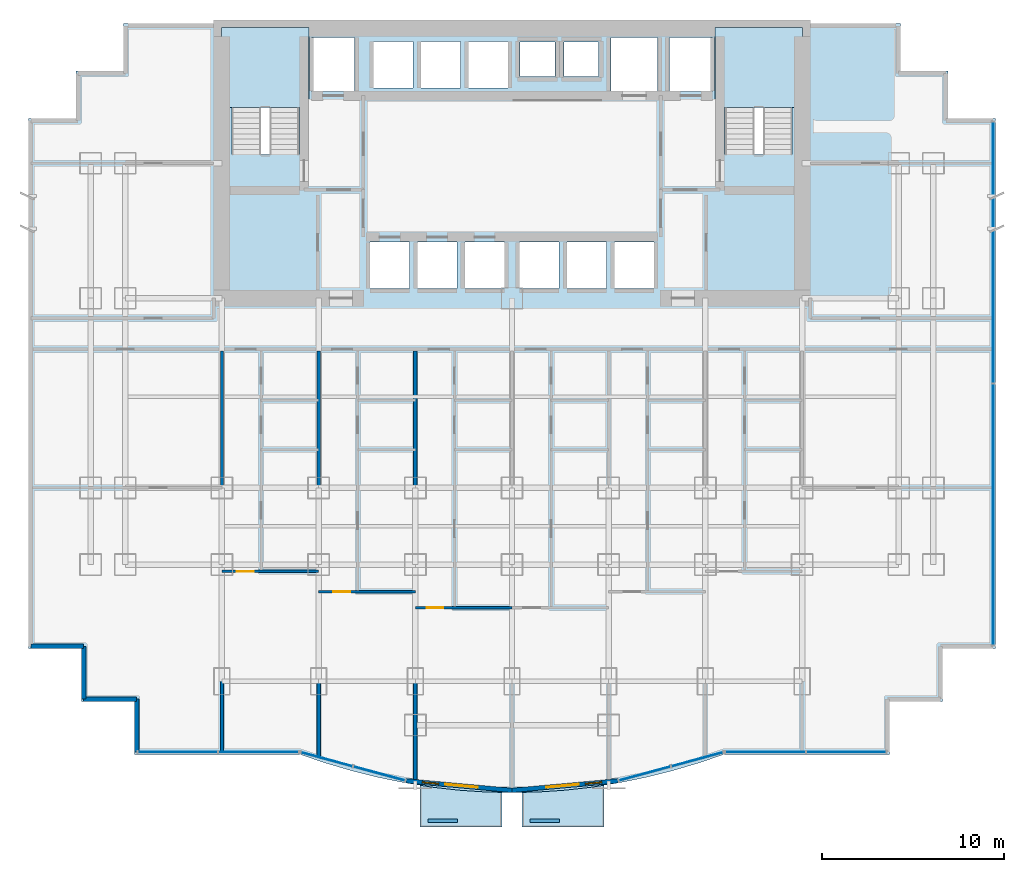
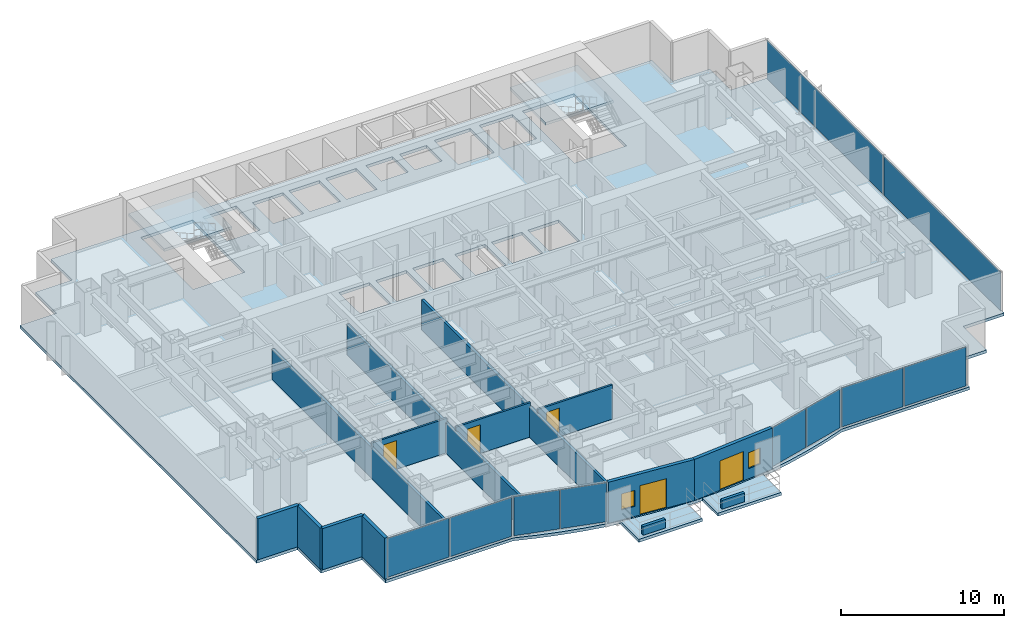
# One storey, part 6 of 12: 14 walls, 10 plates, 5 doors, 5 slabs, 2 windows, 7 openings, 7 elements without a shape of their own.
"""IFC4 building model written with IfcOpenShell, lengths in metres."""

import ifcopenshell
import ifcopenshell.guid

model = None  # the IFC model being written
_history = None  # IfcOwnerHistory: only IFC2X3 demands one
_inside = {}  # id of a spatial element -> (the spatial element, [elements in it])
_under = {}  # id of a project, library or spatial element -> (it, [spatial elements below it])
_declared = {}  # id of a project -> (the project, [libraries it declares])
_typed = {}  # id of a type object -> (the type object, [elements of that type])
_made_of = {}  # id of a material, layer set ... -> (it, [elements and type objects made of it])


def new_model(schema):
    """Start an empty IFC model of exactly this schema.

    Asked for "IFC4X3", IfcOpenShell would pick the latest addendum, in which some entities
    have other attributes; the version numbers below select the first issue.
    IFC2X3 requires an IfcOwnerHistory on every rooted entity: one is made here for all.
    """
    global model, _history
    if schema == "IFC4X3":
        model = ifcopenshell.file(schema_version=(4, 3, 0, 0))
    else:
        model = ifcopenshell.file(schema=schema)
    _inside.clear()
    _under.clear()
    _declared.clear()
    _typed.clear()
    _made_of.clear()
    _history = None
    if model.schema == "IFC2X3":
        org = make("IfcOrganization", Name="unknown")
        user = make(
            "IfcPersonAndOrganization",
            ThePerson=make("IfcPerson", FamilyName="unknown"),
            TheOrganization=org,
        )
        app = make(
            "IfcApplication",
            ApplicationDeveloper=org,
            Version="unknown",
            ApplicationFullName="unknown",
            ApplicationIdentifier="unknown",
        )
        _history = make(
            "IfcOwnerHistory",
            OwningUser=user,
            OwningApplication=app,
            ChangeAction="ADDED",
            CreationDate=0,
        )
    return model


def make(cls, **values):
    """One entity of the class cls with the attributes given. An attribute that is None is left unset."""
    return model.create_entity(
        cls, **{name: value for name, value in values.items() if value is not None}
    )


def rooted(cls, **values):
    """An entity with a GlobalId (a new one), such as an element, a storey or a relation."""
    return make(cls, GlobalId=ifcopenshell.guid.new(), OwnerHistory=_history, **values)


def si_unit(unit_type, name, prefix=None):
    """IfcSIUnit, for example si_unit("LENGTHUNIT", "METRE", prefix="MILLI")."""
    return make("IfcSIUnit", UnitType=unit_type, Prefix=prefix, Name=name)


def assignment(units):
    """IfcUnitAssignment: the units of a project."""
    return None if units is None else make("IfcUnitAssignment", Units=units)


def point(xyz):
    """IfcCartesianPoint."""
    return None if xyz is None else make("IfcCartesianPoint", Coordinates=xyz)


def direction(xyz):
    """IfcDirection."""
    return None if xyz is None else make("IfcDirection", DirectionRatios=xyz)


def frame(location, z_axis=None, x_axis=None):
    """IfcAxis2Placement3D, a coordinate frame: its origin and axes. An axis left out is left unset."""
    return make(
        "IfcAxis2Placement3D",
        Location=point(location),
        Axis=direction(z_axis),
        RefDirection=direction(x_axis),
    )


def frame_2d(location, x_axis=None):
    """IfcAxis2Placement2D, a coordinate frame in the plane: its origin and x axis."""
    return make(
        "IfcAxis2Placement2D", Location=point(location), RefDirection=direction(x_axis)
    )


def origin():
    """The frame at (0, 0, 0) with its axes left unset."""
    return frame((0.0, 0.0, 0.0))


def origin_2d():
    """The frame at (0, 0) in the plane with its x axis left unset."""
    return frame_2d((0.0, 0.0))


def place(relative_to, where):
    """IfcLocalPlacement: puts the frame where relative to a parent placement (None: the world)."""
    return make(
        "IfcLocalPlacement", PlacementRelTo=relative_to, RelativePlacement=where
    )


def context(
    kind, dimensions, precision=None, world=None, true_north=None, identifier=None
):
    """IfcGeometricRepresentationContext, for example the 3D "Model" context."""
    return make(
        "IfcGeometricRepresentationContext",
        ContextIdentifier=identifier,
        ContextType=kind,
        CoordinateSpaceDimension=dimensions,
        Precision=precision,
        WorldCoordinateSystem=world,
        TrueNorth=true_north,
    )


def subcontext(parent, identifier, kind, view, scale=None):
    """IfcGeometricRepresentationSubContext, for example "Body" below "Model"."""
    return make(
        "IfcGeometricRepresentationSubContext",
        ContextIdentifier=identifier,
        ContextType=kind,
        ParentContext=parent,
        TargetScale=scale,
        TargetView=view,
    )


def project(units=None, contexts=None):
    """IfcProject with its units and contexts."""
    return rooted(
        "IfcProject",
        Name="project",
        RepresentationContexts=contexts,
        UnitsInContext=assignment(units),
    )


def spatial(cls, under=None, at=None, **own):
    """A site, building, storey or space (cls), placed at a placement, below another one or the project."""
    s = rooted(cls, ObjectPlacement=at, **own)
    if under is not None:
        _under.setdefault(under.id(), (under, []))[1].append(s)
    return s


def polyline(points):
    """IfcPolyline through the points."""
    return make("IfcPolyline", Points=[point(p) for p in points])


def profile(cls, at=None, kind="AREA", **sizes):
    """A parametric profile (cls). Its sizes go by their IFC names, for example OverallWidth=200.0."""
    return make(cls, ProfileType=kind, Position=at, **sizes)


def rectangle(**sizes):
    """IfcRectangleProfileDef."""
    return profile("IfcRectangleProfileDef", **sizes)


def outline(outer, holes=None, kind="AREA"):
    """IfcArbitraryClosedProfileDef: a profile drawn as a closed curve; with holes, ...WithVoids."""
    if holes is None:
        return make("IfcArbitraryClosedProfileDef", ProfileType=kind, OuterCurve=outer)
    return make(
        "IfcArbitraryProfileDefWithVoids",
        ProfileType=kind,
        OuterCurve=outer,
        InnerCurves=holes,
    )


def extrude(swept, where, along, depth):
    """IfcExtrudedAreaSolid: the profile swept, set in the frame where, extruded along a direction by depth."""
    return make(
        "IfcExtrudedAreaSolid",
        SweptArea=swept,
        Position=where,
        ExtrudedDirection=direction(along),
        Depth=depth,
    )


def shape(context_of_items, identifier, shape_type, items):
    """IfcShapeRepresentation: the items that make up one representation, for example the "Body"."""
    return make(
        "IfcShapeRepresentation",
        ContextOfItems=context_of_items,
        RepresentationIdentifier=identifier,
        RepresentationType=shape_type,
        Items=items,
    )


def source(mapping_origin, context_of_items, identifier, shape_type, items):
    """IfcRepresentationMap: a shape defined once, which mapped items show again and again."""
    return make(
        "IfcRepresentationMap",
        MappingOrigin=mapping_origin,
        MappedRepresentation=shape(context_of_items, identifier, shape_type, items),
    )


def transform(
    local_origin,
    x_axis=None,
    y_axis=None,
    z_axis=None,
    scale=None,
    scale2=None,
    scale3=None,
    uniform=True,
):
    """IfcCartesianTransformationOperator3D, or its non-uniform kind. x_axis, y_axis, z_axis: its Axis1, 2, 3."""
    if uniform:
        return make(
            "IfcCartesianTransformationOperator3D",
            Axis1=direction(x_axis),
            Axis2=direction(y_axis),
            LocalOrigin=point(local_origin),
            Scale=scale,
            Axis3=direction(z_axis),
        )
    return make(
        "IfcCartesianTransformationOperator3DnonUniform",
        Axis1=direction(x_axis),
        Axis2=direction(y_axis),
        LocalOrigin=point(local_origin),
        Scale=scale,
        Axis3=direction(z_axis),
        Scale2=scale2,
        Scale3=scale3,
    )


def mapped(mapping_source, mapping_target):
    """IfcMappedItem: shows the shape of a source again, moved by a transform."""
    return make(
        "IfcMappedItem", MappingSource=mapping_source, MappingTarget=mapping_target
    )


def material(Name=None, Category=None):
    """IfcMaterial."""
    return make("IfcMaterial", Name=Name, Category=Category)


def layer(
    of_material, thickness, ventilated=None, Name=None, Category=None, Priority=None
):
    """IfcMaterialLayer: one layer of a wall or slab, of a material (None: an air gap)."""
    return make(
        "IfcMaterialLayer",
        Material=of_material,
        LayerThickness=thickness,
        IsVentilated=ventilated,
        Name=Name,
        Category=Category,
        Priority=Priority,
    )


def layer_set(layers, Name=None):
    """IfcMaterialLayerSet."""
    return make("IfcMaterialLayerSet", MaterialLayers=layers, LayerSetName=Name)


def made_of(thing, what):
    """Note that an element or type object is made of a material, layer set ...; save() writes the relation."""
    if what is not None:
        _made_of.setdefault(what.id(), (what, []))[1].append(thing)
    return thing


def type_object(cls, material=None, **own):
    """A type object (cls), such as IfcWallType, which elements share."""
    return made_of(rooted(cls, **own), material)


def element(
    cls,
    number,
    at=None,
    inside=None,
    cuts=None,
    type_object=None,
    material=None,
    context=None,
    identifier="Body",
    shape_type=None,
    held_by="IfcProductDefinitionShape",
    body=None,
    shapes=None,
    **own,
):
    """One element of the class cls, such as IfcWall. Its Tag is "e" and its number.

    at: its placement. inside: the storey or other place that contains it. cuts: it is an
    opening in that element (IfcRelVoidsElement). A single representation is given by context,
    identifier, shape_type and body (its items); several are given by shapes. held_by: the class
    of the entity that holds the representations. save() writes the other relations.
    """
    e = rooted(cls, Tag="e%d" % number, ObjectPlacement=at, **own)
    if body is not None:
        shapes = [shape(context, identifier, shape_type, body)]
    if shapes is not None:
        e.Representation = make(held_by, Representations=shapes)
    if inside is not None:
        _inside.setdefault(inside.id(), (inside, []))[1].append(e)
    if cuts is not None:
        rooted(
            "IfcRelVoidsElement", RelatingBuildingElement=cuts, RelatedOpeningElement=e
        )
    if type_object is not None:
        _typed.setdefault(type_object.id(), (type_object, []))[1].append(e)
    return made_of(e, material)


def fill(opening, filler):
    """IfcRelFillsElement: the door or window that sits in an opening."""
    return rooted(
        "IfcRelFillsElement",
        RelatingOpeningElement=opening,
        RelatedBuildingElement=filler,
    )


def aggregate(whole, parts):
    """IfcRelAggregates: a whole, such as a stair, and the parts it consists of."""
    return rooted("IfcRelAggregates", RelatingObject=whole, RelatedObjects=parts)


def save(model, path):
    """Write the relations noted so far, then the file.

    IfcRelAggregates (storeys below a building ...), IfcRelContainedInSpatialStructure (elements
    in a storey), IfcRelDefinesByType, IfcRelAssociatesMaterial and IfcRelDeclares: one each for
    every whole, place, type object, material and project.
    """
    for whole, parts in _under.values():
        aggregate(whole, parts)
    for where, things in _inside.values():
        rooted(
            "IfcRelContainedInSpatialStructure",
            RelatedElements=things,
            RelatingStructure=where,
        )
    for kind, things in _typed.values():
        rooted("IfcRelDefinesByType", RelatedObjects=things, RelatingType=kind)
    for what, things in _made_of.values():
        rooted("IfcRelAssociatesMaterial", RelatedObjects=things, RelatingMaterial=what)
    for by, libraries in _declared.values():
        rooted("IfcRelDeclares", RelatingContext=by, RelatedDefinitions=libraries)
    model.write(path)


model = new_model("IFC4")

# Units and contexts
model_context = context("Model", 3, precision=1e-05, world=origin(), true_north=direction((0.0, 1.0)))
body_context = subcontext(model_context, "Body", "Model", "MODEL_VIEW")
ifc_project = project(units=[si_unit("LENGTHUNIT", "METRE"), si_unit("AREAUNIT", "SQUARE_METRE"), si_unit("VOLUMEUNIT", "CUBIC_METRE"), si_unit("PLANEANGLEUNIT", "RADIAN"), si_unit("MASSUNIT", "GRAM", prefix="KILO")], contexts=[model_context])

# Site, building, storey
site_placement = place(None, origin())
site = spatial("IfcSite", under=ifc_project, at=site_placement, CompositionType="ELEMENT")
building_placement = place(site_placement, origin())
building = spatial("IfcBuilding", under=site, at=building_placement, Name="Qianlan Lanfeng Residences", CompositionType="ELEMENT")
storey_placement = place(building_placement, frame((0.0, 0.0, 27.5)))
storey = spatial("IfcBuildingStorey", under=building, at=storey_placement, Name="L06", CompositionType="ELEMENT", Elevation=27.5)

# Slabs
ifc_material_1 = material(Name="Concrete C42", Category="concrete")
ifc_layer_1 = layer(ifc_material_1, 0.219970703125)
ifc_layer_set_1 = layer_set([ifc_layer_1], Name="Concrete C42")
slab_type_1 = type_object("IfcSlabType", Name="S-BAL-220", PredefinedType="FLOOR", material=ifc_layer_set_1)
slab_1_placement = place(storey_placement, frame((0.0, 0.0, -0.219970703125)))
element("IfcSlab", 1, at=slab_1_placement, inside=storey, type_object=slab_type_1, Name="L06 Planted Tree Balcony Slab SB-W", PredefinedType="FLOOR", context=body_context, shape_type="SweptSolid", body=[
    extrude(outline(polyline([(25.949951171875, -1.887939453125), (25.0439453125, -1.866943359375), (23.5869140625, -1.76904296875), (22.131103515625, -1.60498046875), (21.449951171875, -1.4970703125), (21.449951171875, -3.800048828125), (25.949951171875, -3.800048828125), (25.949951171875, -1.887939453125)])), origin(), (0.0, 0.0, 1.0), 0.219970703125),
])
slab_2_placement = place(storey_placement, frame((0.0, 0.0, -0.219970703125)))
element("IfcSlab", 2, at=slab_2_placement, inside=storey, type_object=slab_type_1, Name="L06 Planted Tree Balcony Slab SB-E", PredefinedType="FLOOR", context=body_context, shape_type="SweptSolid", body=[
    extrude(outline(polyline([(31.550048828125, -1.4970703125), (30.868896484375, -1.60498046875), (29.412109375, -1.76904296875), (27.9560546875, -1.866943359375), (27.050048828125, -1.887939453125), (27.050048828125, -3.800048828125), (31.550048828125, -3.800048828125), (31.550048828125, -1.4970703125)])), origin(), (0.0, 0.0, 1.0), 0.219970703125),
])
ifc_layer_2 = layer(ifc_material_1, 0.219970703125)
ifc_layer_set_2 = layer_set([ifc_layer_2], Name="Concrete C42")
slab_type_2 = type_object("IfcSlabType", Name="S-FL-220", PredefinedType="FLOOR", material=ifc_layer_set_2)
slab_3_placement = place(storey_placement, frame((0.0, 0.0, -0.219970703125)))
element("IfcSlab", 3, at=slab_3_placement, inside=storey, type_object=slab_type_2, Name="L06 Structural Floor Slab", PredefinedType="FLOOR", context=body_context, shape_type="SweptSolid", body=[
    extrude(outline(polyline([(0.0, 6.0), (2.89990234375, 6.0), (2.89990234375, 3.10009765625), (5.800048828125, 3.10009765625), (5.800048828125, 0.199951171875), (14.85009765625, 0.199951171875), (16.305908203125, -0.2919921875), (17.761962890625, -0.718994140625), (19.218994140625, -1.080078125), (20.675048828125, -1.375), (22.131103515625, -1.60498046875), (23.5869140625, -1.76904296875), (25.0439453125, -1.866943359375), (26.5, -1.89990234375), (27.9560546875, -1.866943359375), (29.412109375, -1.76904296875), (30.868896484375, -1.60498046875), (32.324951171875, -1.375), (33.781005859375, -1.080078125), (35.237060546875, -0.718994140625), (36.694091796875, -0.2919921875), (38.14990234375, 0.199951171875), (47.199951171875, 0.199951171875), (47.199951171875, 3.10009765625), (50.10009765625, 3.10009765625), (50.10009765625, 6.0), (53.0, 6.0), (53.0, 35.050048828125), (50.39990234375, 35.050048828125), (50.39990234375, 37.64990234375), (47.800048828125, 37.64990234375), (47.800048828125, 40.25), (5.199951171875, 40.25), (5.199951171875, 37.64990234375), (2.60009765625, 37.64990234375), (2.60009765625, 35.050048828125), (0.0, 35.050048828125), (0.0, 6.0)]), holes=[polyline([(11.139892578125, 33.080078125), (11.139892578125, 39.5), (14.820068359375, 39.5), (14.820068359375, 33.080078125), (11.139892578125, 33.080078125)]), polyline([(38.179931640625, 33.080078125), (38.179931640625, 39.5), (41.860107421875, 39.5), (41.860107421875, 33.080078125), (38.179931640625, 33.080078125)]), polyline([(15.52001953125, 36.52001953125), (15.52001953125, 39.47998046875), (17.8798828125, 39.47998046875), (17.8798828125, 36.52001953125), (15.52001953125, 36.52001953125)]), polyline([(35.1201171875, 36.52001953125), (35.1201171875, 39.47998046875), (37.47998046875, 39.47998046875), (37.47998046875, 36.52001953125), (35.1201171875, 36.52001953125)]), polyline([(31.919921875, 36.52001953125), (31.919921875, 39.47998046875), (34.47998046875, 39.47998046875), (34.47998046875, 36.52001953125), (31.919921875, 36.52001953125)]), polyline([(18.719970703125, 25.719970703125), (18.719970703125, 28.280029296875), (20.8798828125, 28.280029296875), (20.8798828125, 25.719970703125), (18.719970703125, 25.719970703125)]), polyline([(21.320068359375, 25.719970703125), (21.320068359375, 28.280029296875), (23.47998046875, 28.280029296875), (23.47998046875, 25.719970703125), (21.320068359375, 25.719970703125)]), polyline([(23.919921875, 25.719970703125), (23.919921875, 28.280029296875), (26.080078125, 28.280029296875), (26.080078125, 25.719970703125), (23.919921875, 25.719970703125)]), polyline([(26.919921875, 25.719970703125), (26.919921875, 28.280029296875), (29.080078125, 28.280029296875), (29.080078125, 25.719970703125), (26.919921875, 25.719970703125)]), polyline([(29.52001953125, 25.719970703125), (29.52001953125, 28.280029296875), (31.679931640625, 28.280029296875), (31.679931640625, 25.719970703125), (29.52001953125, 25.719970703125)]), polyline([(32.1201171875, 25.719970703125), (32.1201171875, 28.280029296875), (34.280029296875, 28.280029296875), (34.280029296875, 25.719970703125), (32.1201171875, 25.719970703125)]), polyline([(18.919921875, 36.719970703125), (18.919921875, 39.280029296875), (21.080078125, 39.280029296875), (21.080078125, 36.719970703125), (18.919921875, 36.719970703125)]), polyline([(21.52001953125, 36.719970703125), (21.52001953125, 39.280029296875), (23.679931640625, 39.280029296875), (23.679931640625, 36.719970703125), (21.52001953125, 36.719970703125)]), polyline([(24.1201171875, 36.719970703125), (24.1201171875, 39.280029296875), (26.280029296875, 39.280029296875), (26.280029296875, 36.719970703125), (24.1201171875, 36.719970703125)]), polyline([(26.949951171875, 37.35009765625), (26.949951171875, 39.25), (28.85009765625, 39.25), (28.85009765625, 37.35009765625), (26.949951171875, 37.35009765625)]), polyline([(29.35009765625, 37.35009765625), (29.35009765625, 39.25), (31.25, 39.25), (31.25, 37.35009765625), (29.35009765625, 37.35009765625)])]), origin(), (0.0, 0.0, 1.0), 0.219970703125),
])

# Stair, slab
stair_type = type_object("IfcStairType", Name="STR-MAIN", PredefinedType="HALF_TURN_STAIR", material=ifc_material_1)
stair_1_placement = place(storey_placement, origin())
stair_1 = element("IfcStair", 4, at=stair_1_placement, inside=storey, type_object=stair_type, Name="L06 Exit Stair ST-1", PredefinedType="HALF_TURN_STAIR")
ifc_layer_3 = layer(ifc_material_1, 0.179931640625)
ifc_layer_set_3 = layer_set([ifc_layer_3], Name="Concrete C42")
slab_type_3 = type_object("IfcSlabType", Name="S-LND-180", PredefinedType="LANDING", material=ifc_layer_set_3)
slab_4_placement = place(storey_placement, frame((0.0, 0.0, 1.449951171875)))
slab_4 = element("IfcSlab", 5, at=slab_4_placement, type_object=slab_type_3, Name="ST-1 landing 1", PredefinedType="LANDING", context=body_context, shape_type="SweptSolid", body=[
    extrude(outline(polyline([(10.580078125, 35.659912109375), (15.3798828125, 35.659912109375), (15.3798828125, 40.050048828125), (10.580078125, 40.050048828125), (10.580078125, 35.659912109375)])), origin(), (0.0, 0.0, 1.0), 0.199951171875),
])
aggregate(stair_1, [slab_4])

stair_2_placement = place(storey_placement, origin())
stair_2 = element("IfcStair", 6, at=stair_2_placement, inside=storey, type_object=stair_type, Name="L06 Exit Stair ST-2", PredefinedType="HALF_TURN_STAIR")
slab_5_placement = place(storey_placement, frame((0.0, 0.0, 1.449951171875)))
slab_5 = element("IfcSlab", 7, at=slab_5_placement, type_object=slab_type_3, Name="ST-2 landing 1", PredefinedType="LANDING", context=body_context, shape_type="SweptSolid", body=[
    extrude(outline(polyline([(37.6201171875, 35.659912109375), (42.419921875, 35.659912109375), (42.419921875, 40.050048828125), (37.6201171875, 40.050048828125), (37.6201171875, 35.659912109375)])), origin(), (0.0, 0.0, 1.0), 0.199951171875),
])
aggregate(stair_2, [slab_5])

# Curtain wall, plates
ifc_material_2 = material(Name="Anodised Bronze Aluminium 6063-T6", Category="aluminium")
ifc_layer_4 = layer(ifc_material_2, 0.219970703125)
ifc_layer_set_4 = layer_set([ifc_layer_4], Name="Anodised Bronze Aluminium 6063-T6")
curtain_wall_type = type_object("IfcCurtainWallType", Name="CW-02", PredefinedType="NOTDEFINED", material=ifc_layer_set_4)
curtain_wall_1_placement = place(storey_placement, origin())
curtain_wall_1 = element("IfcCurtainWall", 8, at=curtain_wall_1_placement, inside=storey, type_object=curtain_wall_type, Name="L06 Unitised Curtain Wall CWR-L06-01 (CW-02)", PredefinedType="NOTDEFINED")
ifc_material_3 = material(Name="Clear Low-E Insulated Glass", Category="glass")
ifc_layer_5 = layer(ifc_material_3, 0.035888671875)
ifc_layer_set_5 = layer_set([ifc_layer_5], Name="Clear Low-E Insulated Glass")
plate_type_1 = type_object("IfcPlateType", Name="PNL-GLZ-CLR", PredefinedType="CURTAIN_PANEL", material=ifc_layer_set_5)
shared_shape_1 = source(origin(), body_context, "Body", "SweptSolid", [
    extrude(rectangle(XDim=4.35693359375, YDim=0.035888671875, at=origin_2d()), origin(), (0.0, 0.0, 1.0), 2.922119140625),
])
plate_1_placement = place(storey_placement, frame((8.177490234375, 0.320068359375, 0.0791015625), z_axis=(0.0, 0.0, 1.0), x_axis=(1.0, 0.0, 0.0)))
plate_1 = element("IfcPlate", 9, at=plate_1_placement, type_object=plate_type_1, Name="CWR-L06-01 Curtain Panel 1", PredefinedType="CURTAIN_PANEL", context=body_context, shape_type="MappedRepresentation", body=[
    mapped(shared_shape_1, transform((0.0, 0.0, 0.0), scale=1.0)),
])
plate_2_placement = place(storey_placement, frame((12.612548828125, 0.320068359375, 0.0791015625), z_axis=(0.0, 0.0, 1.0), x_axis=(1.0, 0.0, 0.0)))
plate_2 = element("IfcPlate", 10, at=plate_2_placement, type_object=plate_type_1, Name="CWR-L06-01 Curtain Panel 2", PredefinedType="CURTAIN_PANEL", context=body_context, shape_type="MappedRepresentation", body=[
    mapped(shared_shape_1, transform((0.0, 0.0, 0.0), scale=1.0)),
])
aggregate(curtain_wall_1, [plate_1, plate_2])

# Curtain wall, plate
curtain_wall_2_placement = place(storey_placement, origin())
curtain_wall_2 = element("IfcCurtainWall", 11, at=curtain_wall_2_placement, inside=storey, type_object=curtain_wall_type, Name="L06 Unitised Curtain Wall CWR-L06-04 (CW-02)", PredefinedType="NOTDEFINED")
plate_3_placement = place(storey_placement, frame((40.387451171875, 0.320068359375, 0.0791015625), z_axis=(0.0, 0.0, 1.0), x_axis=(1.0, 0.0, 0.0)))
plate_3 = element("IfcPlate", 12, at=plate_3_placement, type_object=plate_type_1, Name="CWR-L06-04 Curtain Panel 1", PredefinedType="CURTAIN_PANEL", context=body_context, shape_type="MappedRepresentation", body=[
    mapped(shared_shape_1, transform((0.0, 0.0, 0.0), scale=1.0)),
])

curtain_wall_3_placement = place(storey_placement, origin())
curtain_wall_3 = element("IfcCurtainWall", 13, at=curtain_wall_3_placement, inside=storey, type_object=curtain_wall_type, Name="L06 Unitised Curtain Wall CWR-L06-02 (CW-02)", PredefinedType="NOTDEFINED")
shared_shape_2 = source(origin(), body_context, "Body", "SweptSolid", [
    extrude(rectangle(XDim=2.89990234375, YDim=0.035888671875, at=origin_2d()), origin(), (0.0, 0.0, 1.0), 2.922119140625),
])
plate_4_placement = place(storey_placement, frame((16.345703125, -0.07958984375, 0.0791015625), z_axis=(0.0, 0.0, 1.0), x_axis=(0.9652627173, -0.261281240412, 0.0)))
plate_4 = element("IfcPlate", 14, at=plate_4_placement, type_object=plate_type_1, Name="CWR-L06-02 Curtain Panel 1", PredefinedType="CURTAIN_PANEL", context=body_context, shape_type="MappedRepresentation", body=[
    mapped(shared_shape_2, transform((0.0, 0.0, 0.0), scale=1.0)),
])

# Curtain wall, plates
curtain_wall_4_placement = place(storey_placement, origin())
curtain_wall_4 = element("IfcCurtainWall", 15, at=curtain_wall_4_placement, inside=storey, type_object=curtain_wall_type, Name="L06 Unitised Curtain Wall CWR-L06-03 (CW-02)", PredefinedType="NOTDEFINED")
plate_5_placement = place(storey_placement, frame((33.77978515625, -0.857421875, 0.0791015625), z_axis=(0.0, 0.0, 1.0), x_axis=(0.9652627173, 0.261281240412, 0.0)))
plate_5 = element("IfcPlate", 16, at=plate_5_placement, type_object=plate_type_1, Name="CWR-L06-03 Curtain Panel 1", PredefinedType="CURTAIN_PANEL", context=body_context, shape_type="MappedRepresentation", body=[
    mapped(shared_shape_2, transform((0.0, 0.0, 0.0), scale=1.0)),
])
plate_6_placement = place(storey_placement, frame((36.654296875, -0.07958984375, 0.0791015625), z_axis=(0.0, 0.0, 1.0), x_axis=(0.9652627173, 0.261281240412, 0.0)))
plate_6 = element("IfcPlate", 17, at=plate_6_placement, type_object=plate_type_1, Name="CWR-L06-03 Curtain Panel 2", PredefinedType="CURTAIN_PANEL", context=body_context, shape_type="MappedRepresentation", body=[
    mapped(shared_shape_2, transform((0.0, 0.0, 0.0), scale=1.0)),
])
aggregate(curtain_wall_4, [plate_5, plate_6])

# Plate
ifc_material_4 = material(Name="Perforated Champagne Gold Aluminium Panel", Category="aluminium")
ifc_layer_6 = layer(ifc_material_4, 0.0400390625)
ifc_layer_set_6 = layer_set([ifc_layer_6], Name="Perforated Champagne Gold Aluminium Panel")
plate_type_2 = type_object("IfcPlateType", Name="PNL-PRF-GLD", PredefinedType="CURTAIN_PANEL", material=ifc_layer_set_6)
shared_shape_3 = source(origin(), body_context, "Body", "SweptSolid", [
    extrude(rectangle(XDim=2.89990234375, YDim=0.0400390625, at=origin_2d()), origin(), (0.0, 0.0, 1.0), 2.922119140625),
])
plate_7_placement = place(storey_placement, frame((19.22021484375, -0.857421875, 0.0791015625), z_axis=(0.0, 0.0, 1.0), x_axis=(0.9652627173, -0.261281240412, 0.0)))
plate_7 = element("IfcPlate", 18, at=plate_7_placement, type_object=plate_type_2, Name="CWR-L06-02 Curtain Panel 2", PredefinedType="CURTAIN_PANEL", context=body_context, shape_type="MappedRepresentation", body=[
    mapped(shared_shape_3, transform((0.0, 0.0, 0.0), scale=1.0)),
])

aggregate(curtain_wall_3, [plate_4, plate_7])

shared_shape_4 = source(origin(), body_context, "Body", "SweptSolid", [
    extrude(rectangle(XDim=4.35693359375, YDim=0.0400390625, at=origin_2d()), origin(), (0.0, 0.0, 1.0), 2.922119140625),
])
plate_8_placement = place(storey_placement, frame((44.822509765625, 0.320068359375, 0.0791015625), z_axis=(0.0, 0.0, 1.0), x_axis=(1.0, 0.0, 0.0)))
plate_8 = element("IfcPlate", 19, at=plate_8_placement, type_object=plate_type_2, Name="CWR-L06-04 Curtain Panel 2", PredefinedType="CURTAIN_PANEL", context=body_context, shape_type="MappedRepresentation", body=[
    mapped(shared_shape_4, transform((0.0, 0.0, 0.0), scale=1.0)),
])

aggregate(curtain_wall_2, [plate_3, plate_8])

# Curtain wall, plates
curtain_wall_5_placement = place(storey_placement, origin())
curtain_wall_5 = element("IfcCurtainWall", 20, at=curtain_wall_5_placement, inside=storey, type_object=curtain_wall_type, Name="L06 Unitised Curtain Wall CWR-L06-05 (CW-02)", PredefinedType="NOTDEFINED")
shared_shape_5 = source(origin(), body_context, "Body", "SweptSolid", [
    extrude(rectangle(XDim=14.287109375, YDim=0.035888671875, at=origin_2d()), origin(), (0.0, 0.0, 1.0), 2.922119140625),
])
plate_9_placement = place(storey_placement, frame((52.8798828125, 13.342529296875, 0.0791015625), z_axis=(0.0, 0.0, 1.0), x_axis=(0.0, 1.0, 0.0)))
plate_9 = element("IfcPlate", 21, at=plate_9_placement, type_object=plate_type_1, Name="CWR-L06-05 Curtain Panel 1", PredefinedType="CURTAIN_PANEL", context=body_context, shape_type="MappedRepresentation", body=[
    mapped(shared_shape_5, transform((0.0, 0.0, 0.0), scale=1.0)),
])
plate_10_placement = place(storey_placement, frame((52.8798828125, 27.70751953125, 0.0791015625), z_axis=(0.0, 0.0, 1.0), x_axis=(0.0, 1.0, 0.0)))
plate_10 = element("IfcPlate", 22, at=plate_10_placement, type_object=plate_type_1, Name="CWR-L06-05 Curtain Panel 2", PredefinedType="CURTAIN_PANEL", context=body_context, shape_type="MappedRepresentation", body=[
    mapped(shared_shape_5, transform((0.0, 0.0, 0.0), scale=1.0)),
])
aggregate(curtain_wall_5, [plate_9, plate_10])

# Walls
ifc_layer_7 = layer(ifc_material_1, 0.239990234375)
ifc_layer_set_7 = layer_set([ifc_layer_7], Name="Concrete C42")
wall_type_1 = type_object("IfcWallType", Name="EW-240", PredefinedType="SOLIDWALL", material=ifc_layer_set_7)
wall_1_placement = place(storey_placement, frame((0.1201171875, 6.1201171875, 0.0), z_axis=(0.0, 0.0, 1.0), x_axis=(1.0, 0.0, 0.0)))
element("IfcWall", 23, at=wall_1_placement, inside=storey, type_object=wall_type_1, Name="L06 Exterior Facade Spandrel Wall 1", PredefinedType="SOLIDWALL", context=body_context, shape_type="SweptSolid", body=[
    extrude(rectangle(XDim=2.89990234375, YDim=0.239990234375, at=frame_2d((1.449951171875, 0.0))), origin(), (0.0, 0.0, 1.0), 3.080078125),
])
wall_2_placement = place(storey_placement, frame((3.02001953125, 6.1201171875, 0.0), z_axis=(0.0, 0.0, 1.0), x_axis=(0.0, -1.0, 0.0)))
element("IfcWall", 24, at=wall_2_placement, inside=storey, type_object=wall_type_1, Name="L06 Exterior Facade Spandrel Wall 2", PredefinedType="SOLIDWALL", context=body_context, shape_type="SweptSolid", body=[
    extrude(rectangle(XDim=2.900146484375, YDim=0.239990234375, at=frame_2d((1.4501953125, 0.0))), origin(), (0.0, 0.0, 1.0), 3.080078125),
])
for number, where, z_axis, x_axis, name in (
    (25, (3.02001953125, 3.219970703125, 0.0), (0.0, 0.0, 1.0), (1.0, 0.0, 0.0), "L06 Exterior Facade Spandrel Wall 3"),
    (26, (5.919921875, 3.219970703125, 0.0), (0.0, 0.0, 1.0), (0.0, -1.0, 0.0), "L06 Exterior Facade Spandrel Wall 4"),
):
    element("IfcWall", number, at=place(storey_placement, frame(where, z_axis=z_axis, x_axis=x_axis)), inside=storey, type_object=wall_type_1, Name=name, PredefinedType="SOLIDWALL", context=body_context, shape_type="SweptSolid", body=[
        extrude(rectangle(XDim=2.89990234375, YDim=0.239990234375, at=frame_2d((1.449951171875, 0.0))), origin(), (0.0, 0.0, 1.0), 3.080078125),
    ])

# Wall, openings, door, window
wall_3_placement = place(storey_placement, frame((20.696044921875, -1.257080078125, 0.0), z_axis=(0.0, 0.0, 1.0), x_axis=(0.995965344947, -0.089738685436, 0.0)))
wall_3 = element("IfcWall", 27, at=wall_3_placement, inside=storey, type_object=wall_type_1, Name="L06 Terrace/Balcony Access Exterior Wall 5", PredefinedType="SOLIDWALL", context=body_context, shape_type="SweptSolid", body=[
    extrude(rectangle(XDim=5.827392578125, YDim=0.239990234375, at=frame_2d((2.91357421875, 0.0))), origin(), (0.0, 0.0, 1.0), 3.080078125),
])
opening_1_placement = place(wall_3_placement, frame((2.14794921875, 0.0, 0.0)))
opening_1 = element("IfcOpeningElement", 28, at=opening_1_placement, cuts=wall_3, Name="Opening L06-D-SB-W", PredefinedType="OPENING", context=body_context, shape_type="SweptSolid", body=[
    extrude(rectangle(XDim=1.800048828125, YDim=2.199951171875, at=frame_2d((0.89990234375, 1.10009765625))), frame((0.0, 0.1298828125, 0.0), z_axis=(0.0, -1.0, 0.0), x_axis=(1.0, 0.0, 0.0)), (0.0, 0.0, 1.0), 0.260009765625),
])
opening_2_placement = place(wall_3_placement, frame((0.888916015625, 0.0, 0.75)))
opening_2 = element("IfcOpeningElement", 29, at=opening_2_placement, cuts=wall_3, Name="Opening W-04", PredefinedType="OPENING", context=body_context, shape_type="SweptSolid", body=[
    extrude(rectangle(XDim=0.89990234375, YDim=1.199951171875, at=frame_2d((0.449951171875, 0.60009765625))), frame((0.0, 0.1298828125, 0.0), z_axis=(0.0, -1.0, 0.0), x_axis=(1.0, 0.0, 0.0)), (0.0, 0.0, 1.0), 0.260009765625),
])
ifc_material_5 = material(Name="Anodised Bronze Aluminium Framed Glass", Category="aluminium")
door_type_1 = type_object("IfcDoorType", Name="DT-BAL1", OperationType="NOTDEFINED", PredefinedType="DOOR", material=ifc_material_5)
door_1_placement = place(opening_1_placement, frame((1.800048828125, 0.0, 0.0), z_axis=(0.0, 0.0, 1.0), x_axis=(-1.0, 0.0, 0.0)))
door_1 = element("IfcDoor", 30, at=door_1_placement, inside=storey, type_object=door_type_1, Name="L06 Exterior Access Door SB-W", OperationType="DOUBLE_DOOR_SLIDING", OverallHeight=2.199951171875, OverallWidth=1.800048828125, PredefinedType="DOOR", context=body_context, shape_type="SweptSolid", body=[
    extrude(rectangle(XDim=1.800048828125, YDim=2.199951171875, at=frame_2d((0.89990234375, 1.10009765625))), frame((0.0, 0.02490234375, 0.0), z_axis=(0.0, -1.0, 0.0), x_axis=(1.0, 0.0, 0.0)), (0.0, 0.0, 1.0), 0.050048828125),
])
fill(opening_1, door_1)
ifc_material_6 = material(Name="Anodised Bronze Aluminium Framed Double Glazing", Category="aluminium")
window_type = type_object("IfcWindowType", Name="W-04", PartitioningType="SINGLE_PANEL", PredefinedType="WINDOW", material=ifc_material_6)
window_1_placement = place(opening_2_placement, origin())
window_1 = element("IfcWindow", 31, at=window_1_placement, inside=storey, type_object=window_type, Name="L06 Exterior Window W-03", OverallHeight=1.199951171875, OverallWidth=0.89990234375, PartitioningType="SINGLE_PANEL", PredefinedType="WINDOW", context=body_context, shape_type="SweptSolid", body=[
    extrude(rectangle(XDim=0.89990234375, YDim=1.199951171875, at=frame_2d((0.449951171875, 0.60009765625))), frame((0.0, 0.030029296875, 0.0), z_axis=(0.0, -1.0, 0.0), x_axis=(1.0, 0.0, 0.0)), (0.0, 0.0, 1.0), 0.06005859375),
])
fill(opening_2, window_1)

wall_4_placement = place(storey_placement, frame((26.5, -1.780029296875, 0.0), z_axis=(0.0, 0.0, 1.0), x_axis=(0.995965344947, 0.089738685436, 0.0)))
wall_4 = element("IfcWall", 32, at=wall_4_placement, inside=storey, type_object=wall_type_1, Name="L06 Terrace/Balcony Access Exterior Wall 6", PredefinedType="SOLIDWALL", context=body_context, shape_type="SweptSolid", body=[
    extrude(rectangle(XDim=5.827392578125, YDim=0.239990234375, at=frame_2d((2.91357421875, 0.0))), origin(), (0.0, 0.0, 1.0), 3.080078125),
])
opening_3_placement = place(wall_4_placement, frame((1.8798828125, 0.0, 0.0)))
opening_3 = element("IfcOpeningElement", 33, at=opening_3_placement, cuts=wall_4, Name="Opening L06-D-SB-E", PredefinedType="OPENING", context=body_context, shape_type="SweptSolid", body=[
    extrude(rectangle(XDim=1.800048828125, YDim=2.199951171875, at=frame_2d((0.89990234375, 1.10009765625))), frame((0.0, 0.1298828125, 0.0), z_axis=(0.0, -1.0, 0.0), x_axis=(1.0, 0.0, 0.0)), (0.0, 0.0, 1.0), 0.260009765625),
])
opening_4_placement = place(wall_4_placement, frame((4.0390625, 0.0, 0.75)))
opening_4 = element("IfcOpeningElement", 34, at=opening_4_placement, cuts=wall_4, Name="Opening W-04", PredefinedType="OPENING", context=body_context, shape_type="SweptSolid", body=[
    extrude(rectangle(XDim=0.89990234375, YDim=1.199951171875, at=frame_2d((0.449951171875, 0.60009765625))), frame((0.0, 0.1298828125, 0.0), z_axis=(0.0, -1.0, 0.0), x_axis=(1.0, 0.0, 0.0)), (0.0, 0.0, 1.0), 0.260009765625),
])
door_2_placement = place(opening_3_placement, frame((1.800048828125, 0.0, 0.0), z_axis=(0.0, 0.0, 1.0), x_axis=(-1.0, 0.0, 0.0)))
door_2 = element("IfcDoor", 35, at=door_2_placement, inside=storey, type_object=door_type_1, Name="L06 Exterior Access Door SB-E", OperationType="DOUBLE_DOOR_SLIDING", OverallHeight=2.199951171875, OverallWidth=1.800048828125, PredefinedType="DOOR", context=body_context, shape_type="SweptSolid", body=[
    extrude(rectangle(XDim=1.800048828125, YDim=2.199951171875, at=frame_2d((0.89990234375, 1.10009765625))), frame((0.0, 0.02490234375, 0.0), z_axis=(0.0, -1.0, 0.0), x_axis=(1.0, 0.0, 0.0)), (0.0, 0.0, 1.0), 0.050048828125),
])
fill(opening_3, door_2)
window_2_placement = place(opening_4_placement, origin())
window_2 = element("IfcWindow", 36, at=window_2_placement, inside=storey, type_object=window_type, Name="L06 Exterior Window W-03", OverallHeight=1.199951171875, OverallWidth=0.89990234375, PartitioningType="SINGLE_PANEL", PredefinedType="WINDOW", context=body_context, shape_type="SweptSolid", body=[
    extrude(rectangle(XDim=0.89990234375, YDim=1.199951171875, at=frame_2d((0.449951171875, 0.60009765625))), frame((0.0, 0.030029296875, 0.0), z_axis=(0.0, -1.0, 0.0), x_axis=(1.0, 0.0, 0.0)), (0.0, 0.0, 1.0), 0.06005859375),
])
fill(opening_4, window_2)

# Walls
ifc_layer_8 = layer(ifc_material_1, 0.199951171875)
ifc_layer_set_8 = layer_set([ifc_layer_8], Name="Concrete C42")
wall_type_2 = type_object("IfcWallType", Name="PL-TREE-200", PredefinedType="PARAPET", material=ifc_layer_set_8)
for number, where, z_axis, x_axis, name in (
    (37, (21.89990234375, -3.449951171875, 0.0), (0.0, 0.0, 1.0), (1.0, 0.0, 0.0), "L06 Balcony Tree Planter Curb SB-W"),
    (38, (27.5, -3.449951171875, 0.0), (0.0, 0.0, 1.0), (1.0, 0.0, 0.0), "L06 Balcony Tree Planter Curb SB-E"),
):
    element("IfcWall", number, at=place(storey_placement, frame(where, z_axis=z_axis, x_axis=x_axis)), inside=storey, type_object=wall_type_2, Name=name, PredefinedType="PARAPET", context=body_context, shape_type="SweptSolid", body=[
        extrude(rectangle(XDim=1.60009765625, YDim=0.199951171875, at=frame_2d((0.800048828125, 0.0))), origin(), (0.0, 0.0, 1.0), 0.64990234375),
    ])

# Wall, opening, door
ifc_material_7 = material(Name="Moisture-Resistant Gypsum Partition 135 mm")
ifc_layer_9 = layer(ifc_material_7, 0.135009765625)
ifc_layer_set_9 = layer_set([ifc_layer_9], Name="Moisture-Resistant Gypsum Partition 135 mm")
wall_type_3 = type_object("IfcWallType", Name="PW-135", PredefinedType="PARTITIONING", material=ifc_layer_set_9)
wall_5_placement = place(storey_placement, frame((10.60009765625, 10.219970703125, 0.0), z_axis=(0.0, 0.0, 1.0), x_axis=(1.0, 0.0, 0.0)))
wall_5 = element("IfcWall", 39, at=wall_5_placement, inside=storey, type_object=wall_type_3, Name="L06 U01 Living Divider", PredefinedType="PARTITIONING", context=body_context, shape_type="SweptSolid", body=[
    extrude(rectangle(XDim=5.2998046875, YDim=0.135009765625, at=frame_2d((2.64990234375, 0.0))), origin(), (0.0, 0.0, 1.0), 2.570068359375),
])
opening_5_placement = place(wall_5_placement, frame((0.81494140625, 0.0, 0.0)))
opening_5 = element("IfcOpeningElement", 40, at=opening_5_placement, cuts=wall_5, Name="Opening L06-D14", PredefinedType="OPENING", context=body_context, shape_type="SweptSolid", body=[
    extrude(rectangle(XDim=0.919921875, YDim=2.14990234375, at=frame_2d((0.4599609375, 1.074951171875))), frame((0.0, 0.07763671875, 0.0), z_axis=(0.0, -1.0, 0.0), x_axis=(1.0, 0.0, 0.0)), (0.0, 0.0, 1.0), 0.155029296875),
])
ifc_material_8 = material(Name="Glazed Timber Kitchen/Study Door", Category="wood")
door_type_2 = type_object("IfcDoorType", Name="DT-INT", OperationType="NOTDEFINED", PredefinedType="DOOR", material=ifc_material_8)
door_3_placement = place(opening_5_placement, frame((0.919921875, 0.0, 0.0), z_axis=(0.0, 0.0, 1.0), x_axis=(-1.0, 0.0, 0.0)))
door_3 = element("IfcDoor", 41, at=door_3_placement, inside=storey, type_object=door_type_2, Name="L06 U01 Living Passage Door L06-D14 (DT-INT)", OperationType="SINGLE_SWING_LEFT", OverallHeight=2.14990234375, OverallWidth=0.919921875, PredefinedType="DOOR", context=body_context, shape_type="SweptSolid", body=[
    extrude(rectangle(XDim=0.919921875, YDim=2.14990234375, at=frame_2d((0.4599609375, 1.074951171875))), frame((0.0, 0.02490234375, 0.0), z_axis=(0.0, -1.0, 0.0), x_axis=(1.0, 0.0, 0.0)), (0.0, 0.0, 1.0), 0.050048828125),
])
fill(opening_5, door_3)

wall_6_placement = place(storey_placement, frame((15.89990234375, 9.112060546875, 0.0), z_axis=(0.0, 0.0, 1.0), x_axis=(1.0, 0.0, 0.0)))
wall_6 = element("IfcWall", 42, at=wall_6_placement, inside=storey, type_object=wall_type_3, Name="L06 U02 Living Divider", PredefinedType="PARTITIONING", context=body_context, shape_type="SweptSolid", body=[
    extrude(rectangle(XDim=5.300048828125, YDim=0.135009765625, at=frame_2d((2.64990234375, 0.0))), origin(), (0.0, 0.0, 1.0), 2.570068359375),
])
opening_6_placement = place(wall_6_placement, frame((0.81494140625, 0.0, 0.0)))
opening_6 = element("IfcOpeningElement", 43, at=opening_6_placement, cuts=wall_6, Name="Opening L06-D19", PredefinedType="OPENING", context=body_context, shape_type="SweptSolid", body=[
    extrude(rectangle(XDim=0.919921875, YDim=2.14990234375, at=frame_2d((0.4599609375, 1.074951171875))), frame((0.0, 0.07763671875, 0.0), z_axis=(0.0, -1.0, 0.0), x_axis=(1.0, 0.0, 0.0)), (0.0, 0.0, 1.0), 0.155029296875),
])
door_4_placement = place(opening_6_placement, origin())
door_4 = element("IfcDoor", 44, at=door_4_placement, inside=storey, type_object=door_type_2, Name="L06 U02 Living Passage Door L06-D19 (DT-INT)", OperationType="SINGLE_SWING_LEFT", OverallHeight=2.14990234375, OverallWidth=0.919921875, PredefinedType="DOOR", context=body_context, shape_type="SweptSolid", body=[
    extrude(rectangle(XDim=0.919921875, YDim=2.14990234375, at=frame_2d((0.4599609375, 1.074951171875))), frame((0.0, 0.02490234375, 0.0), z_axis=(0.0, -1.0, 0.0), x_axis=(1.0, 0.0, 0.0)), (0.0, 0.0, 1.0), 0.050048828125),
])
fill(opening_6, door_4)

wall_7_placement = place(storey_placement, frame((21.199951171875, 8.23388671875, 0.0), z_axis=(0.0, 0.0, 1.0), x_axis=(1.0, 0.0, 0.0)))
wall_7 = element("IfcWall", 45, at=wall_7_placement, inside=storey, type_object=wall_type_3, Name="L06 U03 Living Divider", PredefinedType="PARTITIONING", context=body_context, shape_type="SweptSolid", body=[
    extrude(rectangle(XDim=5.300048828125, YDim=0.135009765625, at=frame_2d((2.64990234375, 0.0))), origin(), (0.0, 0.0, 1.0), 2.570068359375),
])
opening_7_placement = place(wall_7_placement, frame((0.614990234375, 0.0, 0.0)))
opening_7 = element("IfcOpeningElement", 46, at=opening_7_placement, cuts=wall_7, Name="Opening L06-D24", PredefinedType="OPENING", context=body_context, shape_type="SweptSolid", body=[
    extrude(rectangle(XDim=0.919921875, YDim=2.14990234375, at=frame_2d((0.4599609375, 1.074951171875))), frame((0.0, 0.07763671875, 0.0), z_axis=(0.0, -1.0, 0.0), x_axis=(1.0, 0.0, 0.0)), (0.0, 0.0, 1.0), 0.155029296875),
])
door_5_placement = place(opening_7_placement, frame((0.919921875, 0.0, 0.0), z_axis=(0.0, 0.0, 1.0), x_axis=(-1.0, 0.0, 0.0)))
door_5 = element("IfcDoor", 47, at=door_5_placement, inside=storey, type_object=door_type_2, Name="L06 U03 Living Passage Door L06-D24 (DT-INT)", OperationType="SINGLE_SWING_RIGHT", OverallHeight=2.14990234375, OverallWidth=0.919921875, PredefinedType="DOOR", context=body_context, shape_type="SweptSolid", body=[
    extrude(rectangle(XDim=0.919921875, YDim=2.14990234375, at=frame_2d((0.4599609375, 1.074951171875))), frame((0.0, 0.02490234375, 0.0), z_axis=(0.0, -1.0, 0.0), x_axis=(1.0, 0.0, 0.0)), (0.0, 0.0, 1.0), 0.050048828125),
])
fill(opening_7, door_5)

# Walls
ifc_material_9 = material(Name="Double-Layer Acoustic Gypsum Stud Wall 180 mm")
ifc_layer_10 = layer(ifc_material_9, 0.179931640625)
ifc_layer_set_10 = layer_set([ifc_layer_10], Name="Double-Layer Acoustic Gypsum Stud Wall 180 mm")
wall_type_4 = type_object("IfcWallType", Name="PW-180", PredefinedType="PARTITIONING", material=ifc_layer_set_10)
wall_8_placement = place(storey_placement, frame((10.60009765625, 0.419921875, 0.0), z_axis=(0.0, 0.0, 1.0), x_axis=(0.0, 1.0, 0.0)))
element("IfcWall", 48, at=wall_8_placement, inside=storey, type_object=wall_type_4, Name="L06 Wing Boundary Party Wall W0", PredefinedType="PARTITIONING", context=body_context, shape_type="SweptSolid", body=[
    extrude(rectangle(XDim=21.880126953125, YDim=0.179931640625, at=frame_2d((10.93994140625, 0.0))), origin(), (0.0, 0.0, 1.0), 2.27490234375),
])
wall_9_placement = place(storey_placement, frame((15.89990234375, 0.076904296875, 0.0), z_axis=(0.0, 0.0, 1.0), x_axis=(0.0, 1.0, 0.0)))
element("IfcWall", 49, at=wall_9_placement, inside=storey, type_object=wall_type_4, Name="L06 Inter-Tenancy Party Wall 2", PredefinedType="PARTITIONING", context=body_context, shape_type="SweptSolid", body=[
    extrude(rectangle(XDim=22.22314453125, YDim=0.179931640625, at=frame_2d((11.111572265625, 0.0))), origin(), (0.0, 0.0, 1.0), 2.27490234375),
])
wall_10_placement = place(storey_placement, frame((21.199951171875, -1.235107421875, 0.0), z_axis=(0.0, 0.0, 1.0), x_axis=(0.0, 1.0, 0.0)))
element("IfcWall", 50, at=wall_10_placement, inside=storey, type_object=wall_type_4, Name="L06 Inter-Tenancy Party Wall 3", PredefinedType="PARTITIONING", context=body_context, shape_type="SweptSolid", body=[
    extrude(rectangle(XDim=23.53515625, YDim=0.179931640625, at=frame_2d((11.767578125, 0.0))), origin(), (0.0, 0.0, 1.0), 2.27490234375),
])

save(model, "model.ifc")
